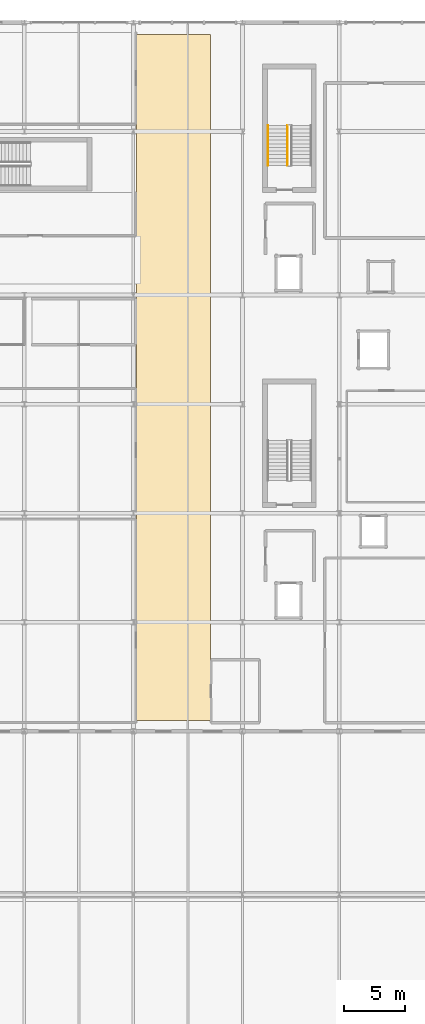
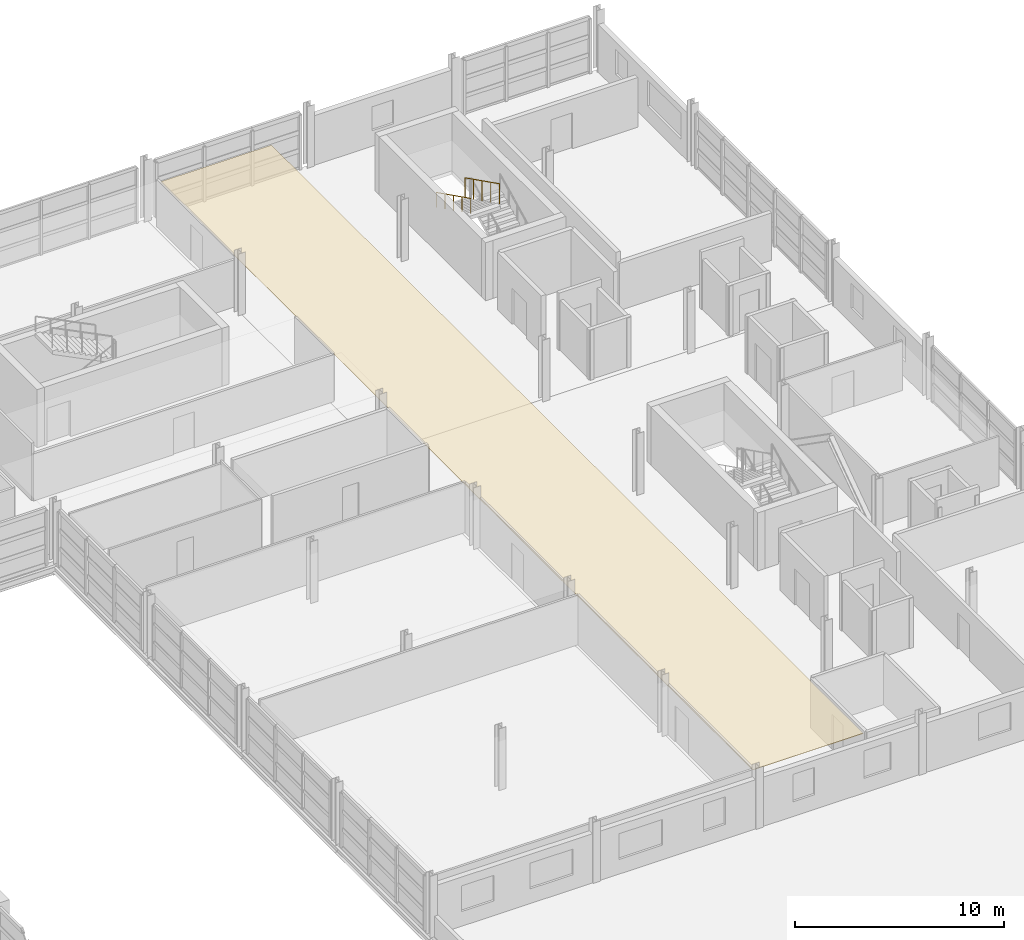
# One storey, part 115 of 116: 2 railings, 1 covering.
"""IFC4 building model written with IfcOpenShell, lengths in metres."""

import ifcopenshell
import ifcopenshell.guid

model = None  # the IFC model being written
_history = None  # IfcOwnerHistory: only IFC2X3 demands one
_inside = {}  # id of a spatial element -> (the spatial element, [elements in it])
_under = {}  # id of a project, library or spatial element -> (it, [spatial elements below it])
_declared = {}  # id of a project -> (the project, [libraries it declares])
_typed = {}  # id of a type object -> (the type object, [elements of that type])
_made_of = {}  # id of a material, layer set ... -> (it, [elements and type objects made of it])


def new_model(schema):
    """Start an empty IFC model of exactly this schema.

    Asked for "IFC4X3", IfcOpenShell would pick the latest addendum, in which some entities
    have other attributes; the version numbers below select the first issue.
    IFC2X3 requires an IfcOwnerHistory on every rooted entity: one is made here for all.
    """
    global model, _history
    if schema == "IFC4X3":
        model = ifcopenshell.file(schema_version=(4, 3, 0, 0))
    else:
        model = ifcopenshell.file(schema=schema)
    _inside.clear()
    _under.clear()
    _declared.clear()
    _typed.clear()
    _made_of.clear()
    _history = None
    if model.schema == "IFC2X3":
        org = make("IfcOrganization", Name="unknown")
        user = make(
            "IfcPersonAndOrganization",
            ThePerson=make("IfcPerson", FamilyName="unknown"),
            TheOrganization=org,
        )
        app = make(
            "IfcApplication",
            ApplicationDeveloper=org,
            Version="unknown",
            ApplicationFullName="unknown",
            ApplicationIdentifier="unknown",
        )
        _history = make(
            "IfcOwnerHistory",
            OwningUser=user,
            OwningApplication=app,
            ChangeAction="ADDED",
            CreationDate=0,
        )
    return model


def make(cls, **values):
    """One entity of the class cls with the attributes given. An attribute that is None is left unset."""
    return model.create_entity(
        cls, **{name: value for name, value in values.items() if value is not None}
    )


def rooted(cls, **values):
    """An entity with a GlobalId (a new one), such as an element, a storey or a relation."""
    return make(cls, GlobalId=ifcopenshell.guid.new(), OwnerHistory=_history, **values)


def si_unit(unit_type, name, prefix=None):
    """IfcSIUnit, for example si_unit("LENGTHUNIT", "METRE", prefix="MILLI")."""
    return make("IfcSIUnit", UnitType=unit_type, Prefix=prefix, Name=name)


def assignment(units):
    """IfcUnitAssignment: the units of a project."""
    return None if units is None else make("IfcUnitAssignment", Units=units)


def point(xyz):
    """IfcCartesianPoint."""
    return None if xyz is None else make("IfcCartesianPoint", Coordinates=xyz)


def direction(xyz):
    """IfcDirection."""
    return None if xyz is None else make("IfcDirection", DirectionRatios=xyz)


def frame(location, z_axis=None, x_axis=None):
    """IfcAxis2Placement3D, a coordinate frame: its origin and axes. An axis left out is left unset."""
    return make(
        "IfcAxis2Placement3D",
        Location=point(location),
        Axis=direction(z_axis),
        RefDirection=direction(x_axis),
    )


def frame_2d(location, x_axis=None):
    """IfcAxis2Placement2D, a coordinate frame in the plane: its origin and x axis."""
    return make(
        "IfcAxis2Placement2D", Location=point(location), RefDirection=direction(x_axis)
    )


def origin():
    """The frame at (0, 0, 0) with its axes left unset."""
    return frame((0.0, 0.0, 0.0))


def origin_2d():
    """The frame at (0, 0) in the plane with its x axis left unset."""
    return frame_2d((0.0, 0.0))


def place(relative_to, where):
    """IfcLocalPlacement: puts the frame where relative to a parent placement (None: the world)."""
    return make(
        "IfcLocalPlacement", PlacementRelTo=relative_to, RelativePlacement=where
    )


def context(
    kind, dimensions, precision=None, world=None, true_north=None, identifier=None
):
    """IfcGeometricRepresentationContext, for example the 3D "Model" context."""
    return make(
        "IfcGeometricRepresentationContext",
        ContextIdentifier=identifier,
        ContextType=kind,
        CoordinateSpaceDimension=dimensions,
        Precision=precision,
        WorldCoordinateSystem=world,
        TrueNorth=true_north,
    )


def subcontext(parent, identifier, kind, view, scale=None):
    """IfcGeometricRepresentationSubContext, for example "Body" below "Model"."""
    return make(
        "IfcGeometricRepresentationSubContext",
        ContextIdentifier=identifier,
        ContextType=kind,
        ParentContext=parent,
        TargetScale=scale,
        TargetView=view,
    )


def project(units=None, contexts=None):
    """IfcProject with its units and contexts."""
    return rooted(
        "IfcProject",
        Name="project",
        RepresentationContexts=contexts,
        UnitsInContext=assignment(units),
    )


def spatial(cls, under=None, at=None, **own):
    """A site, building, storey or space (cls), placed at a placement, below another one or the project."""
    s = rooted(cls, ObjectPlacement=at, **own)
    if under is not None:
        _under.setdefault(under.id(), (under, []))[1].append(s)
    return s


def polyline(points):
    """IfcPolyline through the points."""
    return make("IfcPolyline", Points=[point(p) for p in points])


def profile(cls, at=None, kind="AREA", **sizes):
    """A parametric profile (cls). Its sizes go by their IFC names, for example OverallWidth=200.0."""
    return make(cls, ProfileType=kind, Position=at, **sizes)


def circle(**sizes):
    """IfcCircleProfileDef."""
    return profile("IfcCircleProfileDef", **sizes)


def outline(outer, holes=None, kind="AREA"):
    """IfcArbitraryClosedProfileDef: a profile drawn as a closed curve; with holes, ...WithVoids."""
    if holes is None:
        return make("IfcArbitraryClosedProfileDef", ProfileType=kind, OuterCurve=outer)
    return make(
        "IfcArbitraryProfileDefWithVoids",
        ProfileType=kind,
        OuterCurve=outer,
        InnerCurves=holes,
    )


def extrude(swept, where, along, depth):
    """IfcExtrudedAreaSolid: the profile swept, set in the frame where, extruded along a direction by depth."""
    return make(
        "IfcExtrudedAreaSolid",
        SweptArea=swept,
        Position=where,
        ExtrudedDirection=direction(along),
        Depth=depth,
    )


def shape(context_of_items, identifier, shape_type, items):
    """IfcShapeRepresentation: the items that make up one representation, for example the "Body"."""
    return make(
        "IfcShapeRepresentation",
        ContextOfItems=context_of_items,
        RepresentationIdentifier=identifier,
        RepresentationType=shape_type,
        Items=items,
    )


def material(Name=None, Category=None):
    """IfcMaterial."""
    return make("IfcMaterial", Name=Name, Category=Category)


def layer(
    of_material, thickness, ventilated=None, Name=None, Category=None, Priority=None
):
    """IfcMaterialLayer: one layer of a wall or slab, of a material (None: an air gap)."""
    return make(
        "IfcMaterialLayer",
        Material=of_material,
        LayerThickness=thickness,
        IsVentilated=ventilated,
        Name=Name,
        Category=Category,
        Priority=Priority,
    )


def layer_set(layers, Name=None):
    """IfcMaterialLayerSet."""
    return make("IfcMaterialLayerSet", MaterialLayers=layers, LayerSetName=Name)


def made_of(thing, what):
    """Note that an element or type object is made of a material, layer set ...; save() writes the relation."""
    if what is not None:
        _made_of.setdefault(what.id(), (what, []))[1].append(thing)
    return thing


def type_object(cls, material=None, **own):
    """A type object (cls), such as IfcWallType, which elements share."""
    return made_of(rooted(cls, **own), material)


def element(
    cls,
    number,
    at=None,
    inside=None,
    cuts=None,
    type_object=None,
    material=None,
    context=None,
    identifier="Body",
    shape_type=None,
    held_by="IfcProductDefinitionShape",
    body=None,
    shapes=None,
    **own,
):
    """One element of the class cls, such as IfcWall. Its Tag is "e" and its number.

    at: its placement. inside: the storey or other place that contains it. cuts: it is an
    opening in that element (IfcRelVoidsElement). A single representation is given by context,
    identifier, shape_type and body (its items); several are given by shapes. held_by: the class
    of the entity that holds the representations. save() writes the other relations.
    """
    e = rooted(cls, Tag="e%d" % number, ObjectPlacement=at, **own)
    if body is not None:
        shapes = [shape(context, identifier, shape_type, body)]
    if shapes is not None:
        e.Representation = make(held_by, Representations=shapes)
    if inside is not None:
        _inside.setdefault(inside.id(), (inside, []))[1].append(e)
    if cuts is not None:
        rooted(
            "IfcRelVoidsElement", RelatingBuildingElement=cuts, RelatedOpeningElement=e
        )
    if type_object is not None:
        _typed.setdefault(type_object.id(), (type_object, []))[1].append(e)
    return made_of(e, material)


def aggregate(whole, parts):
    """IfcRelAggregates: a whole, such as a stair, and the parts it consists of."""
    return rooted("IfcRelAggregates", RelatingObject=whole, RelatedObjects=parts)


def save(model, path):
    """Write the relations noted so far, then the file.

    IfcRelAggregates (storeys below a building ...), IfcRelContainedInSpatialStructure (elements
    in a storey), IfcRelDefinesByType, IfcRelAssociatesMaterial and IfcRelDeclares: one each for
    every whole, place, type object, material and project.
    """
    for whole, parts in _under.values():
        aggregate(whole, parts)
    for where, things in _inside.values():
        rooted(
            "IfcRelContainedInSpatialStructure",
            RelatedElements=things,
            RelatingStructure=where,
        )
    for kind, things in _typed.values():
        rooted("IfcRelDefinesByType", RelatedObjects=things, RelatingType=kind)
    for what, things in _made_of.values():
        rooted("IfcRelAssociatesMaterial", RelatedObjects=things, RelatingMaterial=what)
    for by, libraries in _declared.values():
        rooted("IfcRelDeclares", RelatingContext=by, RelatedDefinitions=libraries)
    model.write(path)


model = new_model("IFC4")

# Units and contexts
model_context = context("Model", 3, precision=1e-05, world=origin(), true_north=direction((0.0, 1.0)))
body_context = subcontext(model_context, "Body", "Model", "MODEL_VIEW")
ifc_project = project(units=[si_unit("LENGTHUNIT", "METRE"), si_unit("AREAUNIT", "SQUARE_METRE"), si_unit("VOLUMEUNIT", "CUBIC_METRE"), si_unit("PLANEANGLEUNIT", "RADIAN"), si_unit("MASSUNIT", "GRAM", prefix="KILO")], contexts=[model_context])

# Site, building, storey
site_placement = place(None, origin())
site = spatial("IfcSite", under=ifc_project, at=site_placement, CompositionType="ELEMENT")
building_placement = place(site_placement, origin())
building = spatial("IfcBuilding", under=site, at=building_placement, Name="Chuanluo Vaults Station", CompositionType="ELEMENT")
storey_placement = place(building_placement, frame((0.0, 0.0, 10.800048828125)))
storey = spatial("IfcBuildingStorey", under=building, at=storey_placement, Name="L02", CompositionType="ELEMENT", Elevation=10.800048828125)

# Covering
ifc_material_1 = material(Name="Acoustic mineral-fibre tile")
ifc_layer = layer(ifc_material_1, 0.02490234375)
ifc_layer_set = layer_set([ifc_layer], Name="Acoustic mineral-fibre tile")
covering_type = type_object("IfcCoveringType", Name="COV-CEIL-TILE", PredefinedType="CEILING", material=ifc_layer_set)
covering_placement = place(storey_placement, frame((0.0, 0.0, 2.675048828125)))
element("IfcCovering", 1, at=covering_placement, inside=storey, type_object=covering_type, Name="L02-04C suspended acoustic ceiling", PredefinedType="CEILING", context=body_context, shape_type="SweptSolid", body=[
    extrude(outline(polyline([(163.239990234375, 68.39990234375), (169.360107421875, 68.39990234375), (169.360107421875, 125.0), (163.239990234375, 125.0), (163.239990234375, 68.39990234375)])), origin(), (0.0, 0.0, 1.0), 0.02490234375),
])

# Railings
ifc_material_2 = material(Name="Tempered laminated balustrade glass", Category="glass")
railing_type_1 = type_object("IfcRailingType", Name="RLG-GUARD-1200", PredefinedType="BALUSTRADE", material=ifc_material_2)
railing_1_placement = place(storey_placement, frame((175.702392578125, 117.487548828125, 1.949951171875)))
element("IfcRailing", 2, at=railing_1_placement, inside=storey, type_object=railing_type_1, Name="L02 ST-02 stair guard 3", PredefinedType="BALUSTRADE", context=body_context, shape_type="SweptSolid", body=[
    extrude(circle(Radius=0.02392578125, at=origin_2d()), frame((0.0, 0.0, 1.17578125), z_axis=(0.0, -0.894440424912, 0.447187126696), x_axis=(1.0, 0.0, 0.0)), (0.0, 0.0, 1.0), 3.689453125),
    extrude(circle(Radius=0.02099609375, at=origin_2d()), origin(), (0.0, 0.0, 1.0), 1.15185546875),
    extrude(circle(Radius=0.02099609375, at=origin_2d()), frame((0.0, -0.824951171875, 0.41259765625)), (0.0, 0.0, 1.0), 1.15185546875),
    extrude(circle(Radius=0.02099609375, at=origin_2d()), frame((0.0, -1.64990234375, 0.824951171875)), (0.0, 0.0, 1.0), 1.15185546875),
    extrude(circle(Radius=0.02099609375, at=origin_2d()), frame((0.0, -2.47509765625, 1.2373046875)), (0.0, 0.0, 1.0), 1.15185546875),
    extrude(circle(Radius=0.02099609375, at=origin_2d()), frame((0.0, -3.300048828125, 1.64990234375)), (0.0, 0.0, 1.0), 1.15185546875),
])
ifc_material_3 = material(Name="Brushed stainless steel 304", Category="steel")
railing_type_2 = type_object("IfcRailingType", Name="RLG-HAND-900", PredefinedType="HANDRAIL", material=ifc_material_3)
railing_2_placement = place(storey_placement, frame((174.117431640625, 117.487548828125, 1.949951171875)))
element("IfcRailing", 3, at=railing_2_placement, inside=storey, type_object=railing_type_2, Name="L02 ST-02 stair handrail 2", PredefinedType="HANDRAIL", context=body_context, shape_type="SweptSolid", body=[
    extrude(circle(Radius=0.02392578125, at=origin_2d()), frame((0.0, 0.0, 0.8759765625), z_axis=(0.0, -0.894440424912, 0.447187126696), x_axis=(1.0, 0.0, 0.0)), (0.0, 0.0, 1.0), 3.689453125),
    extrude(circle(Radius=0.02099609375, at=origin_2d()), origin(), (0.0, 0.0, 1.0), 0.851806640625),
    extrude(circle(Radius=0.02099609375, at=origin_2d()), frame((0.0, -0.824951171875, 0.41259765625)), (0.0, 0.0, 1.0), 0.851806640625),
    extrude(circle(Radius=0.02099609375, at=origin_2d()), frame((0.0, -1.64990234375, 0.824951171875)), (0.0, 0.0, 1.0), 0.851806640625),
    extrude(circle(Radius=0.02099609375, at=origin_2d()), frame((0.0, -2.47509765625, 1.2373046875)), (0.0, 0.0, 1.0), 0.851806640625),
    extrude(circle(Radius=0.02099609375, at=origin_2d()), frame((0.0, -3.300048828125, 1.64990234375)), (0.0, 0.0, 1.0), 0.851806640625),
])

save(model, "model.ifc")
